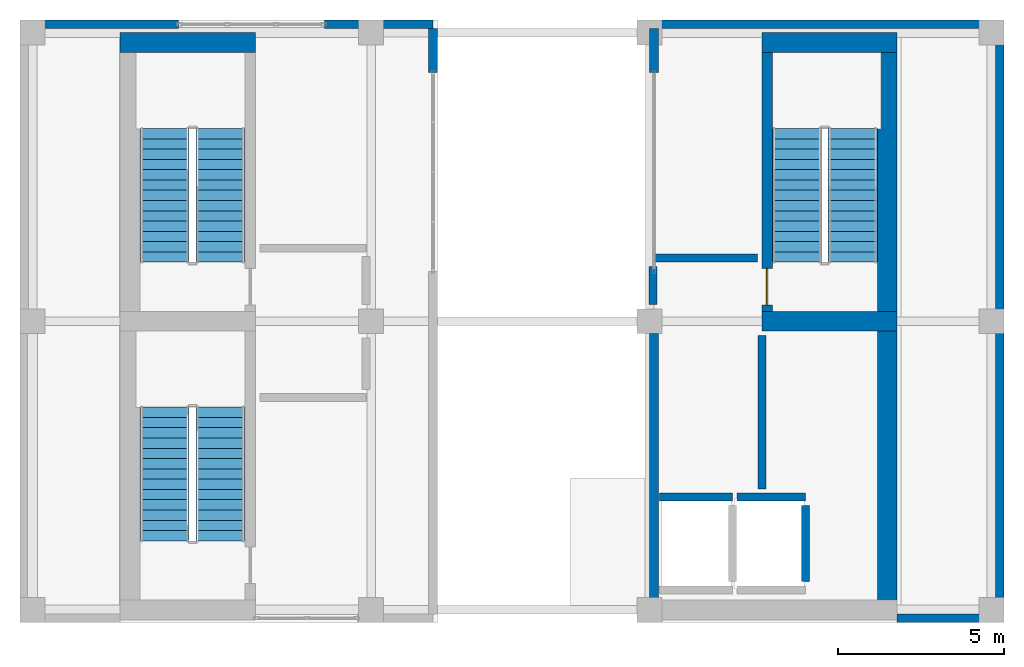
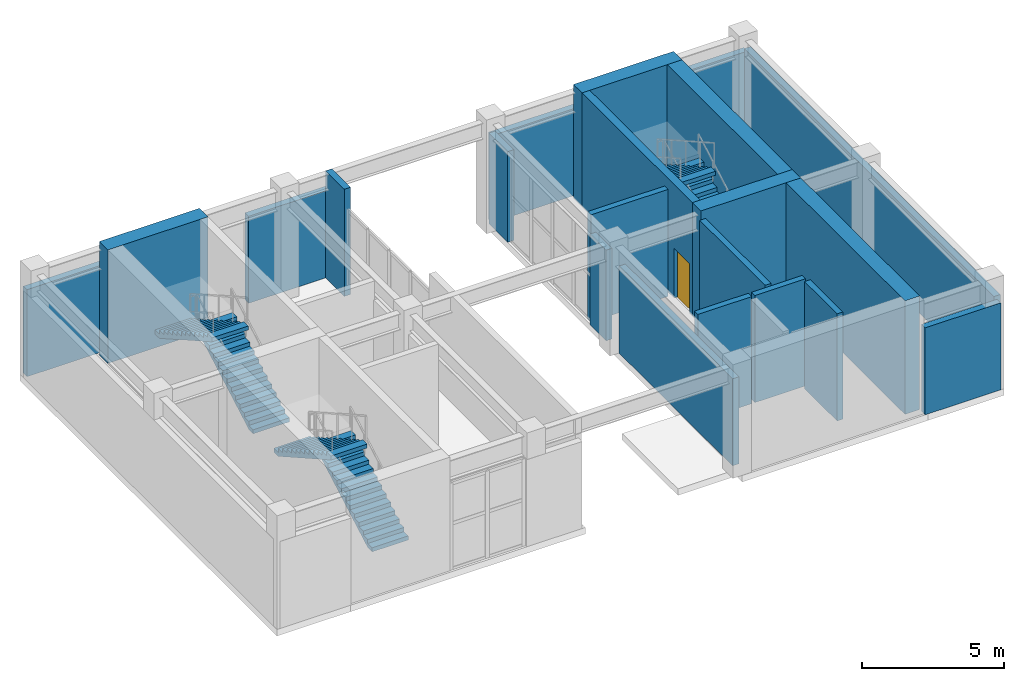
# One storey, part 10 of 11: 19 walls, 6 stair flights, 1 door, 1 opening, 3 elements without a shape of their own.
"""IFC4 building model written with IfcOpenShell, lengths in metres."""

import ifcopenshell
import ifcopenshell.guid

model = None  # the IFC model being written
_history = None  # IfcOwnerHistory: only IFC2X3 demands one
_inside = {}  # id of a spatial element -> (the spatial element, [elements in it])
_under = {}  # id of a project, library or spatial element -> (it, [spatial elements below it])
_declared = {}  # id of a project -> (the project, [libraries it declares])
_typed = {}  # id of a type object -> (the type object, [elements of that type])
_made_of = {}  # id of a material, layer set ... -> (it, [elements and type objects made of it])


def new_model(schema):
    """Start an empty IFC model of exactly this schema.

    Asked for "IFC4X3", IfcOpenShell would pick the latest addendum, in which some entities
    have other attributes; the version numbers below select the first issue.
    IFC2X3 requires an IfcOwnerHistory on every rooted entity: one is made here for all.
    """
    global model, _history
    if schema == "IFC4X3":
        model = ifcopenshell.file(schema_version=(4, 3, 0, 0))
    else:
        model = ifcopenshell.file(schema=schema)
    _inside.clear()
    _under.clear()
    _declared.clear()
    _typed.clear()
    _made_of.clear()
    _history = None
    if model.schema == "IFC2X3":
        org = make("IfcOrganization", Name="unknown")
        user = make(
            "IfcPersonAndOrganization",
            ThePerson=make("IfcPerson", FamilyName="unknown"),
            TheOrganization=org,
        )
        app = make(
            "IfcApplication",
            ApplicationDeveloper=org,
            Version="unknown",
            ApplicationFullName="unknown",
            ApplicationIdentifier="unknown",
        )
        _history = make(
            "IfcOwnerHistory",
            OwningUser=user,
            OwningApplication=app,
            ChangeAction="ADDED",
            CreationDate=0,
        )
    return model


def make(cls, **values):
    """One entity of the class cls with the attributes given. An attribute that is None is left unset."""
    return model.create_entity(
        cls, **{name: value for name, value in values.items() if value is not None}
    )


def rooted(cls, **values):
    """An entity with a GlobalId (a new one), such as an element, a storey or a relation."""
    return make(cls, GlobalId=ifcopenshell.guid.new(), OwnerHistory=_history, **values)


def si_unit(unit_type, name, prefix=None):
    """IfcSIUnit, for example si_unit("LENGTHUNIT", "METRE", prefix="MILLI")."""
    return make("IfcSIUnit", UnitType=unit_type, Prefix=prefix, Name=name)


def assignment(units):
    """IfcUnitAssignment: the units of a project."""
    return None if units is None else make("IfcUnitAssignment", Units=units)


def point(xyz):
    """IfcCartesianPoint."""
    return None if xyz is None else make("IfcCartesianPoint", Coordinates=xyz)


def direction(xyz):
    """IfcDirection."""
    return None if xyz is None else make("IfcDirection", DirectionRatios=xyz)


def frame(location, z_axis=None, x_axis=None):
    """IfcAxis2Placement3D, a coordinate frame: its origin and axes. An axis left out is left unset."""
    return make(
        "IfcAxis2Placement3D",
        Location=point(location),
        Axis=direction(z_axis),
        RefDirection=direction(x_axis),
    )


def frame_2d(location, x_axis=None):
    """IfcAxis2Placement2D, a coordinate frame in the plane: its origin and x axis."""
    return make(
        "IfcAxis2Placement2D", Location=point(location), RefDirection=direction(x_axis)
    )


def origin():
    """The frame at (0, 0, 0) with its axes left unset."""
    return frame((0.0, 0.0, 0.0))


def place(relative_to, where):
    """IfcLocalPlacement: puts the frame where relative to a parent placement (None: the world)."""
    return make(
        "IfcLocalPlacement", PlacementRelTo=relative_to, RelativePlacement=where
    )


def context(
    kind, dimensions, precision=None, world=None, true_north=None, identifier=None
):
    """IfcGeometricRepresentationContext, for example the 3D "Model" context."""
    return make(
        "IfcGeometricRepresentationContext",
        ContextIdentifier=identifier,
        ContextType=kind,
        CoordinateSpaceDimension=dimensions,
        Precision=precision,
        WorldCoordinateSystem=world,
        TrueNorth=true_north,
    )


def subcontext(parent, identifier, kind, view, scale=None):
    """IfcGeometricRepresentationSubContext, for example "Body" below "Model"."""
    return make(
        "IfcGeometricRepresentationSubContext",
        ContextIdentifier=identifier,
        ContextType=kind,
        ParentContext=parent,
        TargetScale=scale,
        TargetView=view,
    )


def project(units=None, contexts=None):
    """IfcProject with its units and contexts."""
    return rooted(
        "IfcProject",
        Name="project",
        RepresentationContexts=contexts,
        UnitsInContext=assignment(units),
    )


def spatial(cls, under=None, at=None, **own):
    """A site, building, storey or space (cls), placed at a placement, below another one or the project."""
    s = rooted(cls, ObjectPlacement=at, **own)
    if under is not None:
        _under.setdefault(under.id(), (under, []))[1].append(s)
    return s


def polyline(points):
    """IfcPolyline through the points."""
    return make("IfcPolyline", Points=[point(p) for p in points])


def profile(cls, at=None, kind="AREA", **sizes):
    """A parametric profile (cls). Its sizes go by their IFC names, for example OverallWidth=200.0."""
    return make(cls, ProfileType=kind, Position=at, **sizes)


def rectangle(**sizes):
    """IfcRectangleProfileDef."""
    return profile("IfcRectangleProfileDef", **sizes)


def outline(outer, holes=None, kind="AREA"):
    """IfcArbitraryClosedProfileDef: a profile drawn as a closed curve; with holes, ...WithVoids."""
    if holes is None:
        return make("IfcArbitraryClosedProfileDef", ProfileType=kind, OuterCurve=outer)
    return make(
        "IfcArbitraryProfileDefWithVoids",
        ProfileType=kind,
        OuterCurve=outer,
        InnerCurves=holes,
    )


def extrude(swept, where, along, depth):
    """IfcExtrudedAreaSolid: the profile swept, set in the frame where, extruded along a direction by depth."""
    return make(
        "IfcExtrudedAreaSolid",
        SweptArea=swept,
        Position=where,
        ExtrudedDirection=direction(along),
        Depth=depth,
    )


def shape(context_of_items, identifier, shape_type, items):
    """IfcShapeRepresentation: the items that make up one representation, for example the "Body"."""
    return make(
        "IfcShapeRepresentation",
        ContextOfItems=context_of_items,
        RepresentationIdentifier=identifier,
        RepresentationType=shape_type,
        Items=items,
    )


def material(Name=None, Category=None):
    """IfcMaterial."""
    return make("IfcMaterial", Name=Name, Category=Category)


def layer(
    of_material, thickness, ventilated=None, Name=None, Category=None, Priority=None
):
    """IfcMaterialLayer: one layer of a wall or slab, of a material (None: an air gap)."""
    return make(
        "IfcMaterialLayer",
        Material=of_material,
        LayerThickness=thickness,
        IsVentilated=ventilated,
        Name=Name,
        Category=Category,
        Priority=Priority,
    )


def layer_set(layers, Name=None):
    """IfcMaterialLayerSet."""
    return make("IfcMaterialLayerSet", MaterialLayers=layers, LayerSetName=Name)


def made_of(thing, what):
    """Note that an element or type object is made of a material, layer set ...; save() writes the relation."""
    if what is not None:
        _made_of.setdefault(what.id(), (what, []))[1].append(thing)
    return thing


def type_object(cls, material=None, **own):
    """A type object (cls), such as IfcWallType, which elements share."""
    return made_of(rooted(cls, **own), material)


def element(
    cls,
    number,
    at=None,
    inside=None,
    cuts=None,
    type_object=None,
    material=None,
    context=None,
    identifier="Body",
    shape_type=None,
    held_by="IfcProductDefinitionShape",
    body=None,
    shapes=None,
    **own,
):
    """One element of the class cls, such as IfcWall. Its Tag is "e" and its number.

    at: its placement. inside: the storey or other place that contains it. cuts: it is an
    opening in that element (IfcRelVoidsElement). A single representation is given by context,
    identifier, shape_type and body (its items); several are given by shapes. held_by: the class
    of the entity that holds the representations. save() writes the other relations.
    """
    e = rooted(cls, Tag="e%d" % number, ObjectPlacement=at, **own)
    if body is not None:
        shapes = [shape(context, identifier, shape_type, body)]
    if shapes is not None:
        e.Representation = make(held_by, Representations=shapes)
    if inside is not None:
        _inside.setdefault(inside.id(), (inside, []))[1].append(e)
    if cuts is not None:
        rooted(
            "IfcRelVoidsElement", RelatingBuildingElement=cuts, RelatedOpeningElement=e
        )
    if type_object is not None:
        _typed.setdefault(type_object.id(), (type_object, []))[1].append(e)
    return made_of(e, material)


def fill(opening, filler):
    """IfcRelFillsElement: the door or window that sits in an opening."""
    return rooted(
        "IfcRelFillsElement",
        RelatingOpeningElement=opening,
        RelatedBuildingElement=filler,
    )


def aggregate(whole, parts):
    """IfcRelAggregates: a whole, such as a stair, and the parts it consists of."""
    return rooted("IfcRelAggregates", RelatingObject=whole, RelatedObjects=parts)


def save(model, path):
    """Write the relations noted so far, then the file.

    IfcRelAggregates (storeys below a building ...), IfcRelContainedInSpatialStructure (elements
    in a storey), IfcRelDefinesByType, IfcRelAssociatesMaterial and IfcRelDeclares: one each for
    every whole, place, type object, material and project.
    """
    for whole, parts in _under.values():
        aggregate(whole, parts)
    for where, things in _inside.values():
        rooted(
            "IfcRelContainedInSpatialStructure",
            RelatedElements=things,
            RelatingStructure=where,
        )
    for kind, things in _typed.values():
        rooted("IfcRelDefinesByType", RelatedObjects=things, RelatingType=kind)
    for what, things in _made_of.values():
        rooted("IfcRelAssociatesMaterial", RelatedObjects=things, RelatingMaterial=what)
    for by, libraries in _declared.values():
        rooted("IfcRelDeclares", RelatingContext=by, RelatedDefinitions=libraries)
    model.write(path)


model = new_model("IFC4")

# Units and contexts
model_context = context("Model", 3, precision=1e-05, world=origin(), true_north=direction((0.0, 1.0)))
body_context = subcontext(model_context, "Body", "Model", "MODEL_VIEW")
ifc_project = project(units=[si_unit("LENGTHUNIT", "METRE"), si_unit("AREAUNIT", "SQUARE_METRE"), si_unit("VOLUMEUNIT", "CUBIC_METRE"), si_unit("PLANEANGLEUNIT", "RADIAN"), si_unit("MASSUNIT", "GRAM", prefix="KILO")], contexts=[model_context])

# Site, building, storey
site_placement = place(None, origin())
site = spatial("IfcSite", under=ifc_project, at=site_placement, CompositionType="ELEMENT")
building_placement = place(site_placement, origin())
building = spatial("IfcBuilding", under=site, at=building_placement, Name="Solanera Arch Residences", CompositionType="ELEMENT")
storey_placement = place(building_placement, frame((0.0, 0.0, 282.97998046875)))
storey = spatial("IfcBuildingStorey", under=building, at=storey_placement, Name="L81", CompositionType="ELEMENT", Elevation=282.97998046875)

# Wall, opening, door
ifc_material_1 = material(Name="Concrete C40/50 (f'c = 45 MPa)", Category="concrete")
ifc_layer_1 = layer(ifc_material_1, 0.320068359375)
ifc_layer_set_1 = layer_set([ifc_layer_1], Name="Concrete C40/50 (f'c = 45 MPa)")
wall_type_1 = type_object("IfcWallType", Name="Core Shear Wall CW-320", PredefinedType="SHEAR", material=ifc_layer_set_1)
wall_1_placement = place(storey_placement, frame((32.739990234375, 31.0, 0.0), z_axis=(0.0, 0.0, 1.0), x_axis=(0.0, 1.0, 0.0)))
wall_1 = element("IfcWall", 1, at=wall_1_placement, inside=storey, type_object=wall_type_1, Name="L81 Stair ST-T2 West Shear Wall", PredefinedType="SHEAR", context=body_context, shape_type="SweptSolid", body=[
    extrude(rectangle(XDim=7.800048828125, YDim=0.320068359375, at=frame_2d((3.89990234375, 0.0))), origin(), (0.0, 0.0, 1.0), 4.89990234375),
])
opening_placement = place(wall_1_placement, frame((0.18994140625, 0.0, 0.0)))
opening = element("IfcOpeningElement", 2, at=opening_placement, cuts=wall_1, Name="Opening DF-01", PredefinedType="OPENING", context=body_context, shape_type="SweptSolid", body=[
    extrude(rectangle(XDim=1.10009765625, YDim=2.14990234375, at=frame_2d((0.550048828125, 1.074951171875))), frame((0.0, 0.169921875, 0.0), z_axis=(0.0, -1.0, 0.0), x_axis=(1.0, 0.0, 0.0)), (0.0, 0.0, 1.0), 0.3401),
])
ifc_material_2 = material(Name="Fire-Rated Architectural Hardwood", Category="wood")
door_type = type_object("IfcDoorType", Name="Stair Exit Fire Door DF-01", OperationType="NOTDEFINED", PredefinedType="DOOR", material=ifc_material_2)
door_placement = place(opening_placement, origin())
door = element("IfcDoor", 3, at=door_placement, inside=storey, type_object=door_type, Name="DR-L81-STAIR-ST-T2", OperationType="SINGLE_SWING_RIGHT", OverallHeight=2.14990234375, OverallWidth=1.10009765625, PredefinedType="DOOR", context=body_context, shape_type="SweptSolid", body=[
    extrude(rectangle(XDim=1.10009765625, YDim=2.14990234375, at=frame_2d((0.550048828125, 1.074951171875))), frame((0.0, 0.02490234375, 0.0), z_axis=(0.0, -1.0, 0.0), x_axis=(1.0, 0.0, 0.0)), (0.0, 0.0, 1.0), 0.050048828125),
])
fill(opening, door)

# Walls
ifc_material_3 = material(Name="Concrete C40/50 (f'c = 45 MPa)", Category="concrete")
ifc_layer_2 = layer(ifc_material_3, 0.60009765625)
ifc_layer_set_2 = layer_set([ifc_layer_2], Name="Concrete C40/50 (f'c = 45 MPa)")
wall_type_2 = type_object("IfcWallType", Name="Core Shear Wall CW-600", PredefinedType="SHEAR", material=ifc_layer_set_2)
wall_2_placement = place(storey_placement, frame((13.239990234375, 39.10009765625, 0.0), z_axis=(0.0, 0.0, 1.0), x_axis=(1.0, 0.0, 0.0)))
element("IfcWall", 4, at=wall_2_placement, inside=storey, type_object=wall_type_2, Name="L81 North-West Core Shear Wall", PredefinedType="SHEAR", context=body_context, shape_type="SweptSolid", body=[
    extrude(rectangle(XDim=4.080078125, YDim=0.60009765625, at=frame_2d((2.0400390625, 0.0))), origin(), (0.0, 0.0, 1.0), 4.89990234375),
])
wall_3_placement = place(storey_placement, frame((36.360107421875, 22.0, 0.0), z_axis=(0.0, 0.0, 1.0), x_axis=(0.0, 1.0, 0.0)))
element("IfcWall", 5, at=wall_3_placement, inside=storey, type_object=wall_type_2, Name="L81 East Core Shear Wall", PredefinedType="SHEAR", context=body_context, shape_type="SweptSolid", body=[
    extrude(rectangle(XDim=17.39990234375, YDim=0.60009765625, at=frame_2d((8.699951171875, 0.0))), origin(), (0.0, 0.0, 1.0), 4.89990234375),
])
for number, where, z_axis, x_axis, name in (
    (6, (32.580078125, 39.10009765625, 0.0), (0.0, 0.0, 1.0), (1.0, 0.0, 0.0), "L81 North-East Core Shear Wall"),
    (7, (32.580078125, 30.699951171875, 0.0), (0.0, 0.0, 1.0), (1.0, 0.0, 0.0), "L81 East Stair Far-Landing Shear Wall"),
):
    element("IfcWall", number, at=place(storey_placement, frame(where, z_axis=z_axis, x_axis=x_axis)), inside=storey, type_object=wall_type_2, Name=name, PredefinedType="SHEAR", context=body_context, shape_type="SweptSolid", body=[
        extrude(rectangle(XDim=4.079833984375, YDim=0.60009765625, at=frame_2d((2.0400390625, 0.0))), origin(), (0.0, 0.0, 1.0), 4.89990234375),
    ])
ifc_material_4 = material(Name="Precast Concrete C35/45", Category="concrete")
ifc_layer_3 = layer(ifc_material_4, 0.260009765625)
ifc_layer_set_3 = layer_set([ifc_layer_3], Name="Precast Concrete C35/45")
wall_type_3 = type_object("IfcWallType", Name="Exterior Wall Precast Masonry-Frame 260", PredefinedType="STANDARD", material=ifc_layer_set_3)
wall_4_placement = place(storey_placement, frame((10.35009765625, 39.64990234375, 0.0), z_axis=(0.0, 0.0, 1.0), x_axis=(1.0, 0.0, 0.0)))
element("IfcWall", 8, at=wall_4_placement, inside=storey, type_object=wall_type_3, Name="L81 W Crown North Pier 1", PredefinedType="STANDARD", context=body_context, shape_type="SweptSolid", body=[
    extrude(rectangle(XDim=4.64990234375, YDim=0.260009765625, at=frame_2d((2.324951171875, 0.0))), origin(), (0.0, 0.0, 1.0), 3.75390625),
])
wall_5_placement = place(storey_placement, frame((19.39990234375, 39.64990234375, 0.0), z_axis=(0.0, 0.0, 1.0), x_axis=(1.0, 0.0, 0.0)))
element("IfcWall", 9, at=wall_5_placement, inside=storey, type_object=wall_type_3, Name="L81 W Crown North Pier 2", PredefinedType="STANDARD", context=body_context, shape_type="SweptSolid", body=[
    extrude(rectangle(XDim=3.27001953125, YDim=0.260009765625, at=frame_2d((1.635009765625, 0.0))), origin(), (0.0, 0.0, 1.0), 3.75390625),
])
wall_6_placement = place(storey_placement, frame((22.669921875, 38.199951171875, 0.0), z_axis=(0.0, 0.0, 1.0), x_axis=(0.0, 1.0, 0.0)))
element("IfcWall", 10, at=wall_6_placement, inside=storey, type_object=wall_type_3, Name="L81 W Cleft Cheek North Wall", PredefinedType="STANDARD", context=body_context, shape_type="SweptSolid", body=[
    extrude(rectangle(XDim=1.320068359375, YDim=0.260009765625, at=frame_2d((0.66015625, 0.0))), origin(), (0.0, 0.0, 1.0), 4.6201171875),
])
wall_7_placement = place(storey_placement, frame((39.75, 21.75, 0.0), z_axis=(0.0, 0.0, 1.0), x_axis=(-1.0, 0.0, 0.0)))
element("IfcWall", 11, at=wall_7_placement, inside=storey, type_object=wall_type_3, Name="L81 E Crown Peak South Precast Wall", PredefinedType="STANDARD", context=body_context, shape_type="SweptSolid", body=[
    extrude(rectangle(XDim=3.090087890625, YDim=0.260009765625, at=frame_2d((1.544921875, 0.0))), origin(), (0.0, 0.0, 1.0), 3.75390625),
])
wall_8_placement = place(storey_placement, frame((29.330078125, 39.64990234375, 0.0), z_axis=(0.0, 0.0, 1.0), x_axis=(1.0, 0.0, 0.0)))
element("IfcWall", 12, at=wall_8_placement, inside=storey, type_object=wall_type_3, Name="L81 E Crown Peak North Precast Wall", PredefinedType="STANDARD", context=body_context, shape_type="SweptSolid", body=[
    extrude(rectangle(XDim=10.419921875, YDim=0.260009765625, at=frame_2d((5.2099609375, 0.0))), origin(), (0.0, 0.0, 1.0), 3.75390625),
])
wall_9_placement = place(storey_placement, frame((39.75, 39.52001953125, 0.0), z_axis=(0.0, 0.0, 1.0), x_axis=(0.0, -1.0, 0.0)))
element("IfcWall", 13, at=wall_9_placement, inside=storey, type_object=wall_type_3, Name="L81 E Crown Peak Outer Precast Wall", PredefinedType="STANDARD", context=body_context, shape_type="SweptSolid", body=[
    extrude(rectangle(XDim=17.64013671875, YDim=0.260009765625, at=frame_2d((8.820068359375, 0.0))), origin(), (0.0, 0.0, 1.0), 3.912109375),
])
wall_10_placement = place(storey_placement, frame((29.330078125, 22.300048828125, 0.0), z_axis=(0.0, 0.0, 1.0), x_axis=(0.0, 1.0, 0.0)))
element("IfcWall", 14, at=wall_10_placement, inside=storey, type_object=wall_type_3, Name="L81 E Cleft Cheek South Wall", PredefinedType="STANDARD", context=body_context, shape_type="SweptSolid", body=[
    extrude(rectangle(XDim=8.02490234375, YDim=0.260009765625, at=frame_2d((4.012451171875, 0.0))), origin(), (0.0, 0.0, 1.0), 3.75390625),
])
wall_11_placement = place(storey_placement, frame((29.330078125, 38.199951171875, 0.0), z_axis=(0.0, 0.0, 1.0), x_axis=(0.0, 1.0, 0.0)))
element("IfcWall", 15, at=wall_11_placement, inside=storey, type_object=wall_type_3, Name="L81 E Cleft Cheek North Wall", PredefinedType="STANDARD", context=body_context, shape_type="SweptSolid", body=[
    extrude(rectangle(XDim=1.320068359375, YDim=0.260009765625, at=frame_2d((0.66015625, 0.0))), origin(), (0.0, 0.0, 1.0), 3.912109375),
])
ifc_material_5 = material(Name="Autoclaved Aerated Concrete Blockwork", Category="masonry")
ifc_layer_4 = layer(ifc_material_5, 0.239990234375)
ifc_layer_set_4 = layer_set([ifc_layer_4], Name="Autoclaved Aerated Concrete Blockwork")
wall_type_4 = type_object("IfcWallType", Name="Shaft Wall Fire-Rated 240", PredefinedType="PARTITIONING", material=ifc_layer_set_4)
wall_12_placement = place(storey_placement, frame((29.5, 25.39990234375, 0.0), z_axis=(0.0, 0.0, 1.0), x_axis=(1.0, 0.0, 0.0)))
element("IfcWall", 16, at=wall_12_placement, inside=storey, type_object=wall_type_4, Name="L81 Lift FFL-1 Hoistway Wall N", PredefinedType="PARTITIONING", context=body_context, shape_type="SweptSolid", body=[
    extrude(rectangle(XDim=2.199951171875, YDim=0.239990234375, at=frame_2d((1.10009765625, 0.0))), origin(), (0.0, 0.0, 1.0), 4.6201171875),
])
wall_13_placement = place(storey_placement, frame((31.827880859375, 25.39990234375, 0.0), z_axis=(0.0, 0.0, 1.0), x_axis=(1.0, 0.0, 0.0)))
element("IfcWall", 17, at=wall_13_placement, inside=storey, type_object=wall_type_4, Name="L81 Lift FFL-2 Hoistway Wall N", PredefinedType="PARTITIONING", context=body_context, shape_type="SweptSolid", body=[
    extrude(rectangle(XDim=2.072021484375, YDim=0.239990234375, at=frame_2d((1.0361328125, 0.0))), origin(), (0.0, 0.0, 1.0), 4.6201171875),
])
wall_14_placement = place(storey_placement, frame((33.89990234375, 22.847900390625, 0.0), z_axis=(0.0, 0.0, 1.0), x_axis=(0.0, 1.0, 0.0)))
element("IfcWall", 18, at=wall_14_placement, inside=storey, type_object=wall_type_4, Name="L81 Lift FFL-2 Hoistway Wall E", PredefinedType="PARTITIONING", context=body_context, shape_type="SweptSolid", body=[
    extrude(rectangle(XDim=2.30419921875, YDim=0.239990234375, at=frame_2d((1.152099609375, 0.0))), origin(), (0.0, 0.0, 1.0), 4.6201171875),
])
wall_15_placement = place(storey_placement, frame((29.300048828125, 32.60009765625, 0.0), z_axis=(0.0, 0.0, 1.0), x_axis=(1.0, 0.0, 0.0)))
element("IfcWall", 19, at=wall_15_placement, inside=storey, type_object=wall_type_4, Name="L81 Interior Partition H3", PredefinedType="PARTITIONING", context=body_context, shape_type="SweptSolid", body=[
    extrude(rectangle(XDim=3.14990234375, YDim=0.239990234375, at=frame_2d((1.574951171875, 0.0))), origin(), (0.0, 0.0, 1.0), 4.6201171875),
])
wall_16_placement = place(storey_placement, frame((29.300048828125, 31.20703125, 0.0), z_axis=(0.0, 0.0, 1.0), x_axis=(0.0, 1.0, 0.0)))
element("IfcWall", 20, at=wall_16_placement, inside=storey, type_object=wall_type_4, Name="L81 Interior Partition V3", PredefinedType="PARTITIONING", context=body_context, shape_type="SweptSolid", body=[
    extrude(rectangle(XDim=1.14501953125, YDim=0.239990234375, at=frame_2d((0.572509765625, 0.0))), origin(), (0.0, 0.0, 1.0), 3.912109375),
])
wall_17_placement = place(storey_placement, frame((32.580078125, 25.64794921875, 0.0), z_axis=(0.0, 0.0, 1.0), x_axis=(0.0, 1.0, 0.0)))
element("IfcWall", 21, at=wall_17_placement, inside=storey, type_object=wall_type_4, Name="L81 Interior Partition V4", PredefinedType="PARTITIONING", context=body_context, shape_type="SweptSolid", body=[
    extrude(rectangle(XDim=4.6220703125, YDim=0.239990234375, at=frame_2d((2.31103515625, 0.0))), origin(), (0.0, 0.0, 1.0), 4.6201171875),
])

# Stair, stair flights
ifc_material_6 = material(Name="Concrete C40/50 (f'c = 45 MPa)", Category="concrete")
stair_type = type_object("IfcStairType", Name="Tower Dogleg Exit Stair 1480", PredefinedType="HALF_TURN_STAIR", material=ifc_material_6)
stair_1_placement = place(storey_placement, origin())
stair_1 = element("IfcStair", 22, at=stair_1_placement, inside=storey, type_object=stair_type, Name="L81 Tower Core Exit Stair 1", PredefinedType="HALF_TURN_STAIR")
ifc_material_7 = material(Name="Concrete C40/50 (f'c = 45 MPa)", Category="concrete")
stair_flight_type = type_object("IfcStairFlightType", Name="Tower Precast Stair Flight 1480", PredefinedType="STRAIGHT", material=ifc_material_7)
stair_flight_1_placement = place(storey_placement, frame((16.260009765625, 32.47998046875, 0.0), z_axis=(0.0, 0.0, 1.0), x_axis=(0.0, 1.0, 0.0)))
stair_flight_1 = element("IfcStairFlight", 23, at=stair_flight_1_placement, type_object=stair_flight_type, Name="ST-T1 flight 1", NumberOfRisers=14, NumberOfTreads=13, PredefinedType="STRAIGHT", RiserHeight=0.175, TreadLength=0.31, context=body_context, shape_type="SweptSolid", body=[
    extrude(outline(polyline([(0.0, 0.0), (0.0, 0.175048828125), (0.31005859375, 0.175048828125), (0.31005859375, 0.35009765625), (0.6201171875, 0.35009765625), (0.6201171875, 0.52490234375), (0.929931640625, 0.52490234375), (0.929931640625, 0.699951171875), (1.239990234375, 0.699951171875), (1.239990234375, 0.875), (1.550048828125, 0.875), (1.550048828125, 1.050048828125), (1.860107421875, 1.050048828125), (1.860107421875, 1.22509765625), (2.169921875, 1.22509765625), (2.169921875, 1.39990234375), (2.47998046875, 1.39990234375), (2.47998046875, 1.574951171875), (2.7900390625, 1.574951171875), (2.7900390625, 1.75), (3.10009765625, 1.75), (3.10009765625, 1.925048828125), (3.409912109375, 1.925048828125), (3.409912109375, 2.10009765625), (3.719970703125, 2.10009765625), (3.719970703125, 2.27490234375), (4.030029296875, 2.27490234375), (4.030029296875, 2.449951171875), (4.030029296875, 2.102783203125), (0.304931640625, 0.0), (0.0, 0.0)])), frame((0.0, 0.739990234375, 0.0), z_axis=(0.0, -1.0, 0.0), x_axis=(1.0, 0.0, 0.0)), (0.0, 0.0, 1.0), 1.47998046875),
])
stair_flight_2_placement = place(storey_placement, frame((14.580078125, 36.510009765625, 2.449951171875), z_axis=(0.0, 0.0, 1.0), x_axis=(0.0, -1.0, 0.0)))
stair_flight_2 = element("IfcStairFlight", 24, at=stair_flight_2_placement, type_object=stair_flight_type, Name="ST-T1 flight 2", NumberOfRisers=14, NumberOfTreads=13, PredefinedType="STRAIGHT", RiserHeight=0.175, TreadLength=0.31, context=body_context, shape_type="SweptSolid", body=[
    extrude(outline(polyline([(0.0, 0.0), (0.0, 0.175048828125), (0.31005859375, 0.175048828125), (0.31005859375, 0.35009765625), (0.6201171875, 0.35009765625), (0.6201171875, 0.52490234375), (0.929931640625, 0.52490234375), (0.929931640625, 0.699951171875), (1.239990234375, 0.699951171875), (1.239990234375, 0.875), (1.550048828125, 0.875), (1.550048828125, 1.050048828125), (1.860107421875, 1.050048828125), (1.860107421875, 1.22509765625), (2.169921875, 1.22509765625), (2.169921875, 1.39990234375), (2.47998046875, 1.39990234375), (2.47998046875, 1.574951171875), (2.7900390625, 1.574951171875), (2.7900390625, 1.75), (3.10009765625, 1.75), (3.10009765625, 1.925048828125), (3.409912109375, 1.925048828125), (3.409912109375, 2.10009765625), (3.719970703125, 2.10009765625), (3.719970703125, 2.27490234375), (4.030029296875, 2.27490234375), (4.030029296875, 2.449951171875), (4.030029296875, 2.102783203125), (0.304931640625, 0.0), (0.0, 0.0)])), frame((0.0, 0.739990234375, 0.0), z_axis=(0.0, -1.0, 0.0), x_axis=(1.0, 0.0, 0.0)), (0.0, 0.0, 1.0), 1.47998046875),
])
aggregate(stair_1, [stair_flight_1, stair_flight_2])

stair_2_placement = place(storey_placement, origin())
stair_2 = element("IfcStair", 25, at=stair_2_placement, inside=storey, type_object=stair_type, Name="L81 Tower Core Exit Stair 2", PredefinedType="HALF_TURN_STAIR")
stair_flight_3_placement = place(storey_placement, frame((35.320068359375, 32.47998046875, 0.0), z_axis=(0.0, 0.0, 1.0), x_axis=(0.0, 1.0, 0.0)))
stair_flight_3 = element("IfcStairFlight", 26, at=stair_flight_3_placement, type_object=stair_flight_type, Name="ST-T2 flight 1", NumberOfRisers=14, NumberOfTreads=13, PredefinedType="STRAIGHT", RiserHeight=0.175, TreadLength=0.31, context=body_context, shape_type="SweptSolid", body=[
    extrude(outline(polyline([(0.0, 0.0), (0.0, 0.175048828125), (0.31005859375, 0.175048828125), (0.31005859375, 0.35009765625), (0.6201171875, 0.35009765625), (0.6201171875, 0.52490234375), (0.929931640625, 0.52490234375), (0.929931640625, 0.699951171875), (1.239990234375, 0.699951171875), (1.239990234375, 0.875), (1.550048828125, 0.875), (1.550048828125, 1.050048828125), (1.860107421875, 1.050048828125), (1.860107421875, 1.22509765625), (2.169921875, 1.22509765625), (2.169921875, 1.39990234375), (2.47998046875, 1.39990234375), (2.47998046875, 1.574951171875), (2.7900390625, 1.574951171875), (2.7900390625, 1.75), (3.10009765625, 1.75), (3.10009765625, 1.925048828125), (3.409912109375, 1.925048828125), (3.409912109375, 2.10009765625), (3.719970703125, 2.10009765625), (3.719970703125, 2.27490234375), (4.030029296875, 2.27490234375), (4.030029296875, 2.449951171875), (4.030029296875, 2.102783203125), (0.304931640625, 0.0), (0.0, 0.0)])), frame((0.0, 0.739990234375, 0.0), z_axis=(0.0, -1.0, 0.0), x_axis=(1.0, 0.0, 0.0)), (0.0, 0.0, 1.0), 1.47998046875),
])
stair_flight_4_placement = place(storey_placement, frame((33.639892578125, 36.510009765625, 2.449951171875), z_axis=(0.0, 0.0, 1.0), x_axis=(0.0, -1.0, 0.0)))
stair_flight_4 = element("IfcStairFlight", 27, at=stair_flight_4_placement, type_object=stair_flight_type, Name="ST-T2 flight 2", NumberOfRisers=14, NumberOfTreads=13, PredefinedType="STRAIGHT", RiserHeight=0.175, TreadLength=0.31, context=body_context, shape_type="SweptSolid", body=[
    extrude(outline(polyline([(0.0, 0.0), (0.0, 0.175048828125), (0.31005859375, 0.175048828125), (0.31005859375, 0.35009765625), (0.6201171875, 0.35009765625), (0.6201171875, 0.52490234375), (0.929931640625, 0.52490234375), (0.929931640625, 0.699951171875), (1.239990234375, 0.699951171875), (1.239990234375, 0.875), (1.550048828125, 0.875), (1.550048828125, 1.050048828125), (1.860107421875, 1.050048828125), (1.860107421875, 1.22509765625), (2.169921875, 1.22509765625), (2.169921875, 1.39990234375), (2.47998046875, 1.39990234375), (2.47998046875, 1.574951171875), (2.7900390625, 1.574951171875), (2.7900390625, 1.75), (3.10009765625, 1.75), (3.10009765625, 1.925048828125), (3.409912109375, 1.925048828125), (3.409912109375, 2.10009765625), (3.719970703125, 2.10009765625), (3.719970703125, 2.27490234375), (4.030029296875, 2.27490234375), (4.030029296875, 2.449951171875), (4.030029296875, 2.102783203125), (0.304931640625, 0.0), (0.0, 0.0)])), frame((0.0, 0.739990234375, 0.0), z_axis=(0.0, -1.0, 0.0), x_axis=(1.0, 0.0, 0.0)), (0.0, 0.0, 1.0), 1.47998046875),
])
aggregate(stair_2, [stair_flight_3, stair_flight_4])

stair_3_placement = place(storey_placement, origin())
stair_3 = element("IfcStair", 28, at=stair_3_placement, inside=storey, type_object=stair_type, Name="L81 Tower Core Exit Stair 3", PredefinedType="HALF_TURN_STAIR")
stair_flight_5_placement = place(storey_placement, frame((16.260009765625, 24.080078125, 0.0), z_axis=(0.0, 0.0, 1.0), x_axis=(0.0, 1.0, 0.0)))
stair_flight_5 = element("IfcStairFlight", 29, at=stair_flight_5_placement, type_object=stair_flight_type, Name="ST-T3 flight 1", NumberOfRisers=14, NumberOfTreads=13, PredefinedType="STRAIGHT", RiserHeight=0.175, TreadLength=0.31, context=body_context, shape_type="SweptSolid", body=[
    extrude(outline(polyline([(0.0, 0.0), (0.0, 0.175048828125), (0.31005859375, 0.175048828125), (0.31005859375, 0.35009765625), (0.6201171875, 0.35009765625), (0.6201171875, 0.52490234375), (0.929931640625, 0.52490234375), (0.929931640625, 0.699951171875), (1.239990234375, 0.699951171875), (1.239990234375, 0.875), (1.550048828125, 0.875), (1.550048828125, 1.050048828125), (1.860107421875, 1.050048828125), (1.860107421875, 1.22509765625), (2.169921875, 1.22509765625), (2.169921875, 1.39990234375), (2.47998046875, 1.39990234375), (2.47998046875, 1.574951171875), (2.7900390625, 1.574951171875), (2.7900390625, 1.75), (3.10009765625, 1.75), (3.10009765625, 1.925048828125), (3.409912109375, 1.925048828125), (3.409912109375, 2.10009765625), (3.719970703125, 2.10009765625), (3.719970703125, 2.27490234375), (4.030029296875, 2.27490234375), (4.030029296875, 2.449951171875), (4.030029296875, 2.102783203125), (0.304931640625, 0.0), (0.0, 0.0)])), frame((0.0, 0.739990234375, 0.0), z_axis=(0.0, -1.0, 0.0), x_axis=(1.0, 0.0, 0.0)), (0.0, 0.0, 1.0), 1.47998046875),
])
stair_flight_6_placement = place(storey_placement, frame((14.580078125, 28.110107421875, 2.449951171875), z_axis=(0.0, 0.0, 1.0), x_axis=(0.0, -1.0, 0.0)))
stair_flight_6 = element("IfcStairFlight", 30, at=stair_flight_6_placement, type_object=stair_flight_type, Name="ST-T3 flight 2", NumberOfRisers=14, NumberOfTreads=13, PredefinedType="STRAIGHT", RiserHeight=0.175, TreadLength=0.31, context=body_context, shape_type="SweptSolid", body=[
    extrude(outline(polyline([(0.0, 0.0), (0.0, 0.175048828125), (0.31005859375, 0.175048828125), (0.31005859375, 0.35009765625), (0.6201171875, 0.35009765625), (0.6201171875, 0.52490234375), (0.929931640625, 0.52490234375), (0.929931640625, 0.699951171875), (1.239990234375, 0.699951171875), (1.239990234375, 0.875), (1.550048828125, 0.875), (1.550048828125, 1.050048828125), (1.860107421875, 1.050048828125), (1.860107421875, 1.22509765625), (2.169921875, 1.22509765625), (2.169921875, 1.39990234375), (2.47998046875, 1.39990234375), (2.47998046875, 1.574951171875), (2.7900390625, 1.574951171875), (2.7900390625, 1.75), (3.10009765625, 1.75), (3.10009765625, 1.925048828125), (3.409912109375, 1.925048828125), (3.409912109375, 2.10009765625), (3.719970703125, 2.10009765625), (3.719970703125, 2.27490234375), (4.030029296875, 2.27490234375), (4.030029296875, 2.449951171875), (4.030029296875, 2.102783203125), (0.304931640625, 0.0), (0.0, 0.0)])), frame((0.0, 0.739990234375, 0.0), z_axis=(0.0, -1.0, 0.0), x_axis=(1.0, 0.0, 0.0)), (0.0, 0.0, 1.0), 1.47998046875),
])
aggregate(stair_3, [stair_flight_5, stair_flight_6])

save(model, "model.ifc")
